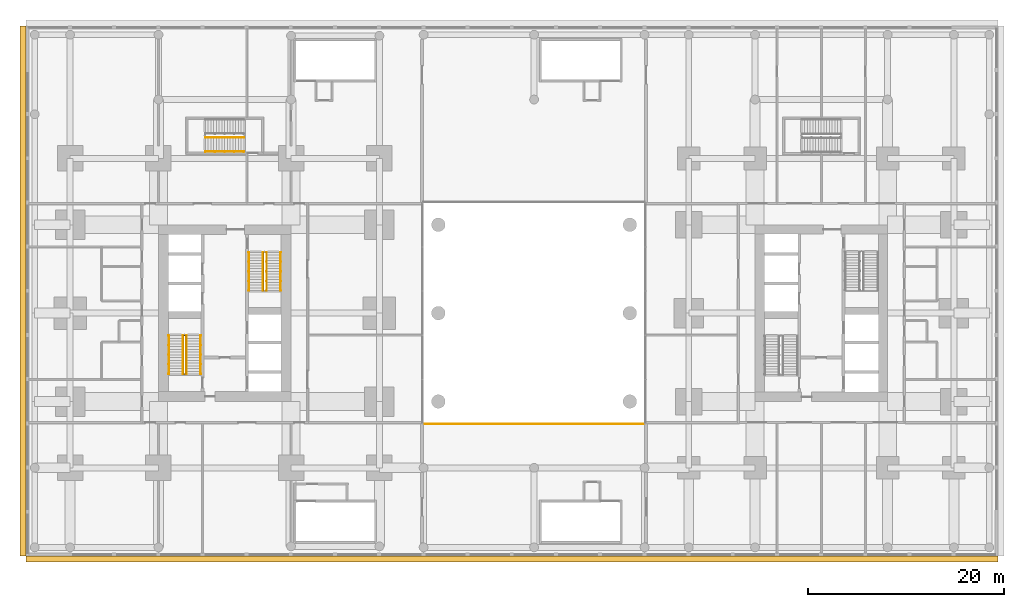
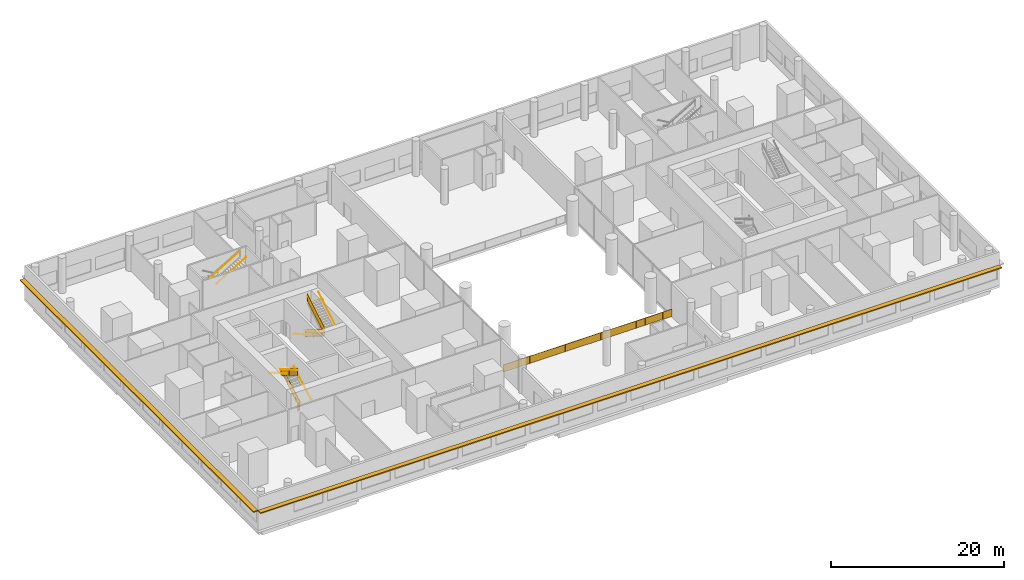
# One storey, part 18 of 20: 13 railings, 2 shading devices.
"""IFC4 building model written with IfcOpenShell, lengths in metres."""

from ifc_helpers import new_model, si_unit, direction, frame, origin, origin_2d, place, context, subcontext, project, spatial, polyline, rectangle, circle, outline, extrude, material, layer, layer_set, type_object, element, save


model = new_model("IFC4")

# Units and contexts
model_context = context("Model", 3, precision=1e-05, world=origin(), true_north=direction((0.0, 1.0)))
body_context = subcontext(model_context, "Body", "Model", "MODEL_VIEW")
ifc_project = project(units=[si_unit("LENGTHUNIT", "METRE"), si_unit("AREAUNIT", "SQUARE_METRE"), si_unit("VOLUMEUNIT", "CUBIC_METRE"), si_unit("PLANEANGLEUNIT", "RADIAN"), si_unit("MASSUNIT", "GRAM", prefix="KILO")], contexts=[model_context])

# Site, building, storey
site_placement = place(None, origin())
site = spatial("IfcSite", under=ifc_project, at=site_placement, CompositionType="ELEMENT")
building_placement = place(site_placement, origin())
building = spatial("IfcBuilding", under=site, at=building_placement, Name="Namib Vertical Campus", CompositionType="ELEMENT")
storey_placement = place(building_placement, frame((0.0, 0.0, 16.0)))
storey = spatial("IfcBuildingStorey", under=building, at=storey_placement, Name="L03", CompositionType="ELEMENT", Elevation=16.0)

# Railings
ifc_material_1 = material(Name="Toughened glass balustrade", Category="glass")
railing_type_1 = type_object("IfcRailingType", Name="Edge guard 1100", PredefinedType="GUARDRAIL", material=ifc_material_1)
railing_1_placement = place(storey_placement, frame((40.5, 8.949951171875, 0.0)))
element("IfcRailing", 1, at=railing_1_placement, inside=storey, type_object=railing_type_1, Name="Atrium edge guard GR2 L03 S", PredefinedType="GUARDRAIL", context=body_context, shape_type="SweptSolid", body=[
    extrude(circle(Radius=0.02392578125, at=origin_2d()), frame((0.0, 0.0, 1.076171875), z_axis=(1.0, 0.0, 0.0), x_axis=(0.0, 1.0, 0.0)), (0.0, 0.0, 1.0), 22.5),
    extrude(outline(polyline([(0.02099609375, 0.050048828125), (22.47900390625, 0.050048828125), (22.47900390625, 1.052001953125), (0.02099609375, 1.052001953125), (0.02099609375, 0.050048828125)])), frame((0.0, 0.0107421875, 0.0), z_axis=(0.0, -1.0, 0.0), x_axis=(1.0, 0.0, 0.0)), (0.0, 0.0, 1.0), 0.021484375),
    extrude(circle(Radius=0.02099609375, at=origin_2d()), origin(), (0.0, 0.0, 1.0), 1.052001953125),
    extrude(circle(Radius=0.02099609375, at=origin_2d()), frame((1.184326171875, 0.0, 0.0)), (0.0, 0.0, 1.0), 1.052001953125),
    extrude(circle(Radius=0.02099609375, at=origin_2d()), frame((2.368408203125, 0.0, 0.0)), (0.0, 0.0, 1.0), 1.052001953125),
    extrude(circle(Radius=0.02099609375, at=origin_2d()), frame((3.552734375, 0.0, 0.0)), (0.0, 0.0, 1.0), 1.052001953125),
    extrude(circle(Radius=0.02099609375, at=origin_2d()), frame((4.73681640625, 0.0, 0.0)), (0.0, 0.0, 1.0), 1.052001953125),
    extrude(circle(Radius=0.02099609375, at=origin_2d()), frame((5.921142578125, 0.0, 0.0)), (0.0, 0.0, 1.0), 1.052001953125),
    extrude(circle(Radius=0.02099609375, at=origin_2d()), frame((7.105224609375, 0.0, 0.0)), (0.0, 0.0, 1.0), 1.052001953125),
    extrude(circle(Radius=0.02099609375, at=origin_2d()), frame((8.28955078125, 0.0, 0.0)), (0.0, 0.0, 1.0), 1.052001953125),
    extrude(circle(Radius=0.02099609375, at=origin_2d()), frame((9.4736328125, 0.0, 0.0)), (0.0, 0.0, 1.0), 1.052001953125),
    extrude(circle(Radius=0.02099609375, at=origin_2d()), frame((10.657958984375, 0.0, 0.0)), (0.0, 0.0, 1.0), 1.052001953125),
    extrude(circle(Radius=0.02099609375, at=origin_2d()), frame((11.842041015625, 0.0, 0.0)), (0.0, 0.0, 1.0), 1.052001953125),
    extrude(circle(Radius=0.02099609375, at=origin_2d()), frame((13.0263671875, 0.0, 0.0)), (0.0, 0.0, 1.0), 1.052001953125),
    extrude(circle(Radius=0.02099609375, at=origin_2d()), frame((14.21044921875, 0.0, 0.0)), (0.0, 0.0, 1.0), 1.052001953125),
    extrude(circle(Radius=0.02099609375, at=origin_2d()), frame((15.394775390625, 0.0, 0.0)), (0.0, 0.0, 1.0), 1.052001953125),
    extrude(circle(Radius=0.02099609375, at=origin_2d()), frame((16.578857421875, 0.0, 0.0)), (0.0, 0.0, 1.0), 1.052001953125),
    extrude(circle(Radius=0.02099609375, at=origin_2d()), frame((17.76318359375, 0.0, 0.0)), (0.0, 0.0, 1.0), 1.052001953125),
    extrude(circle(Radius=0.02099609375, at=origin_2d()), frame((18.947265625, 0.0, 0.0)), (0.0, 0.0, 1.0), 1.052001953125),
    extrude(circle(Radius=0.02099609375, at=origin_2d()), frame((20.131591796875, 0.0, 0.0)), (0.0, 0.0, 1.0), 1.052001953125),
    extrude(circle(Radius=0.02099609375, at=origin_2d()), frame((21.315673828125, 0.0, 0.0)), (0.0, 0.0, 1.0), 1.052001953125),
    extrude(circle(Radius=0.02099609375, at=origin_2d()), frame((22.5, 0.0, 0.0)), (0.0, 0.0, 1.0), 1.052001953125),
])
ifc_material_2 = material(Name="Steel handrail", Category="steel")
railing_type_2 = type_object("IfcRailingType", Name="Handrail 900", PredefinedType="HANDRAIL", material=ifc_material_2)
railing_2_placement = place(storey_placement, frame((17.800048828125, 14.050048828125, 0.166748046875)))
element("IfcRailing", 2, at=railing_2_placement, inside=storey, type_object=railing_type_2, Name="Handrail HR1 A-S1 L03 1", PredefinedType="HANDRAIL", context=body_context, shape_type="SweptSolid", body=[
    extrude(circle(Radius=0.02392578125, at=origin_2d()), frame((0.0, 0.0, 0.8759765625), z_axis=(0.0, 0.859296244711, 0.511478214419), x_axis=(-1.0, 0.0, 0.0)), (0.0, 0.0, 1.0), 4.561767578125),
    extrude(circle(Radius=0.008056640625, at=origin_2d()), frame((0.0, 0.0, 0.8759765625), z_axis=(1.0, 0.0, 0.0), x_axis=(0.0, 0.0, 1.0)), (0.0, 0.0, 1.0), 0.050048828125),
    extrude(circle(Radius=0.008056640625, at=origin_2d()), frame((0.0, 0.97998046875, 1.459228515625), z_axis=(1.0, 0.0, 0.0), x_axis=(0.0, 0.0, 1.0)), (0.0, 0.0, 1.0), 0.050048828125),
    extrude(circle(Radius=0.008056640625, at=origin_2d()), frame((0.0, 1.9599609375, 2.04248046875), z_axis=(1.0, 0.0, 0.0), x_axis=(0.0, 0.0, 1.0)), (0.0, 0.0, 1.0), 0.050048828125),
    extrude(circle(Radius=0.008056640625, at=origin_2d()), frame((0.0, 2.93994140625, 2.625732421875), z_axis=(1.0, 0.0, 0.0), x_axis=(0.0, 0.0, 1.0)), (0.0, 0.0, 1.0), 0.050048828125),
    extrude(circle(Radius=0.008056640625, at=origin_2d()), frame((0.0, 3.919921875, 3.208984375), z_axis=(1.0, 0.0, 0.0), x_axis=(0.0, 0.0, 1.0)), (0.0, 0.0, 1.0), 0.050048828125),
])
railing_3_placement = place(storey_placement, frame((14.550048828125, 17.969970703125, 2.666748046875)))
element("IfcRailing", 3, at=railing_3_placement, inside=storey, type_object=railing_type_2, Name="Handrail HR1 A-S1 L03 2", PredefinedType="HANDRAIL", context=body_context, shape_type="SweptSolid", body=[
    extrude(circle(Radius=0.02392578125, at=origin_2d()), frame((0.0, 0.0, 0.8759765625), z_axis=(0.0, -0.859296244711, 0.511478214419), x_axis=(1.0, 0.0, 0.0)), (0.0, 0.0, 1.0), 4.561767578125),
    extrude(circle(Radius=0.008056640625, at=origin_2d()), frame((0.0, 0.0, 0.8759765625), z_axis=(-1.0, 0.0, 0.0), x_axis=(0.0, 0.0, 1.0)), (0.0, 0.0, 1.0), 0.050048828125),
    extrude(circle(Radius=0.008056640625, at=origin_2d()), frame((0.0, -0.97998046875, 1.459228515625), z_axis=(-1.0, 0.0, 0.0), x_axis=(0.0, 0.0, 1.0)), (0.0, 0.0, 1.0), 0.050048828125),
    extrude(circle(Radius=0.008056640625, at=origin_2d()), frame((0.0, -1.9599609375, 2.04248046875), z_axis=(-1.0, 0.0, 0.0), x_axis=(0.0, 0.0, 1.0)), (0.0, 0.0, 1.0), 0.050048828125),
    extrude(circle(Radius=0.008056640625, at=origin_2d()), frame((0.0, -2.93994140625, 2.625732421875), z_axis=(-1.0, 0.0, 0.0), x_axis=(0.0, 0.0, 1.0)), (0.0, 0.0, 1.0), 0.050048828125),
    extrude(circle(Radius=0.008056640625, at=origin_2d()), frame((0.0, -3.919921875, 3.208984375), z_axis=(-1.0, 0.0, 0.0), x_axis=(0.0, 0.0, 1.0)), (0.0, 0.0, 1.0), 0.050048828125),
])
railing_4_placement = place(storey_placement, frame((16.375, 14.050048828125, 0.166748046875)))
element("IfcRailing", 4, at=railing_4_placement, inside=storey, type_object=railing_type_2, Name="Handrail HR1 A-S1 L03 1 at the well", PredefinedType="HANDRAIL", context=body_context, shape_type="SweptSolid", body=[
    extrude(circle(Radius=0.02392578125, at=origin_2d()), frame((0.0, 0.0, 0.8759765625), z_axis=(0.0, 0.859296244711, 0.511478214419), x_axis=(-1.0, 0.0, 0.0)), (0.0, 0.0, 1.0), 4.561767578125),
    extrude(circle(Radius=0.008056640625, at=origin_2d()), frame((0.0, 0.0, 0.8759765625), z_axis=(-1.0, 0.0, 0.0), x_axis=(0.0, 0.0, 1.0)), (0.0, 0.0, 1.0), 0.0400390625),
    extrude(circle(Radius=0.008056640625, at=origin_2d()), frame((0.0, 0.97998046875, 1.459228515625), z_axis=(-1.0, 0.0, 0.0), x_axis=(0.0, 0.0, 1.0)), (0.0, 0.0, 1.0), 0.0400390625),
    extrude(circle(Radius=0.008056640625, at=origin_2d()), frame((0.0, 1.9599609375, 2.04248046875), z_axis=(-1.0, 0.0, 0.0), x_axis=(0.0, 0.0, 1.0)), (0.0, 0.0, 1.0), 0.0400390625),
    extrude(circle(Radius=0.008056640625, at=origin_2d()), frame((0.0, 2.93994140625, 2.625732421875), z_axis=(-1.0, 0.0, 0.0), x_axis=(0.0, 0.0, 1.0)), (0.0, 0.0, 1.0), 0.0400390625),
    extrude(circle(Radius=0.008056640625, at=origin_2d()), frame((0.0, 3.919921875, 3.208984375), z_axis=(-1.0, 0.0, 0.0), x_axis=(0.0, 0.0, 1.0)), (0.0, 0.0, 1.0), 0.0400390625),
])
railing_5_placement = place(storey_placement, frame((15.97509765625, 17.969970703125, 2.666748046875)))
element("IfcRailing", 5, at=railing_5_placement, inside=storey, type_object=railing_type_2, Name="Handrail HR1 A-S1 L03 2 at the well", PredefinedType="HANDRAIL", context=body_context, shape_type="SweptSolid", body=[
    extrude(circle(Radius=0.02392578125, at=origin_2d()), frame((0.0, 0.0, 0.8759765625), z_axis=(0.0, -0.859296244711, 0.511478214419), x_axis=(1.0, 0.0, 0.0)), (0.0, 0.0, 1.0), 4.561767578125),
    extrude(circle(Radius=0.008056640625, at=origin_2d()), frame((0.0, 0.0, 0.8759765625), z_axis=(1.0, 0.0, 0.0), x_axis=(0.0, 0.0, 1.0)), (0.0, 0.0, 1.0), 0.0400390625),
    extrude(circle(Radius=0.008056640625, at=origin_2d()), frame((0.0, -0.97998046875, 1.459228515625), z_axis=(1.0, 0.0, 0.0), x_axis=(0.0, 0.0, 1.0)), (0.0, 0.0, 1.0), 0.0400390625),
    extrude(circle(Radius=0.008056640625, at=origin_2d()), frame((0.0, -1.9599609375, 2.04248046875), z_axis=(1.0, 0.0, 0.0), x_axis=(0.0, 0.0, 1.0)), (0.0, 0.0, 1.0), 0.0400390625),
    extrude(circle(Radius=0.008056640625, at=origin_2d()), frame((0.0, -2.93994140625, 2.625732421875), z_axis=(1.0, 0.0, 0.0), x_axis=(0.0, 0.0, 1.0)), (0.0, 0.0, 1.0), 0.0400390625),
    extrude(circle(Radius=0.008056640625, at=origin_2d()), frame((0.0, -3.919921875, 3.208984375), z_axis=(1.0, 0.0, 0.0), x_axis=(0.0, 0.0, 1.0)), (0.0, 0.0, 1.0), 0.0400390625),
])
railing_6_placement = place(storey_placement, frame((22.699951171875, 26.449951171875, 0.166748046875)))
element("IfcRailing", 6, at=railing_6_placement, inside=storey, type_object=railing_type_2, Name="Handrail HR1 A-S2 L03 1", PredefinedType="HANDRAIL", context=body_context, shape_type="SweptSolid", body=[
    extrude(circle(Radius=0.02392578125, at=origin_2d()), frame((0.0, 0.0, 0.8759765625), z_axis=(0.0, -0.859296244711, 0.511478214419), x_axis=(1.0, 0.0, 0.0)), (0.0, 0.0, 1.0), 4.561767578125),
    extrude(circle(Radius=0.008056640625, at=origin_2d()), frame((0.0, 0.0, 0.8759765625), z_axis=(-1.0, 0.0, 0.0), x_axis=(0.0, 0.0, 1.0)), (0.0, 0.0, 1.0), 0.050048828125),
    extrude(circle(Radius=0.008056640625, at=origin_2d()), frame((0.0, -0.97998046875, 1.459228515625), z_axis=(-1.0, 0.0, 0.0), x_axis=(0.0, 0.0, 1.0)), (0.0, 0.0, 1.0), 0.050048828125),
    extrude(circle(Radius=0.008056640625, at=origin_2d()), frame((0.0, -1.9599609375, 2.04248046875), z_axis=(-1.0, 0.0, 0.0), x_axis=(0.0, 0.0, 1.0)), (0.0, 0.0, 1.0), 0.050048828125),
    extrude(circle(Radius=0.008056640625, at=origin_2d()), frame((0.0, -2.93994140625, 2.625732421875), z_axis=(-1.0, 0.0, 0.0), x_axis=(0.0, 0.0, 1.0)), (0.0, 0.0, 1.0), 0.050048828125),
    extrude(circle(Radius=0.008056640625, at=origin_2d()), frame((0.0, -3.919921875, 3.208984375), z_axis=(-1.0, 0.0, 0.0), x_axis=(0.0, 0.0, 1.0)), (0.0, 0.0, 1.0), 0.050048828125),
])
railing_7_placement = place(storey_placement, frame((25.949951171875, 22.530029296875, 2.666748046875)))
element("IfcRailing", 7, at=railing_7_placement, inside=storey, type_object=railing_type_2, Name="Handrail HR1 A-S2 L03 2", PredefinedType="HANDRAIL", context=body_context, shape_type="SweptSolid", body=[
    extrude(circle(Radius=0.02392578125, at=origin_2d()), frame((0.0, 0.0, 0.8759765625), z_axis=(0.0, 0.859296244711, 0.511478214419), x_axis=(-1.0, 0.0, 0.0)), (0.0, 0.0, 1.0), 4.561767578125),
    extrude(circle(Radius=0.008056640625, at=origin_2d()), frame((0.0, 0.0, 0.8759765625), z_axis=(1.0, 0.0, 0.0), x_axis=(0.0, 0.0, 1.0)), (0.0, 0.0, 1.0), 0.050048828125),
    extrude(circle(Radius=0.008056640625, at=origin_2d()), frame((0.0, 0.97998046875, 1.459228515625), z_axis=(1.0, 0.0, 0.0), x_axis=(0.0, 0.0, 1.0)), (0.0, 0.0, 1.0), 0.050048828125),
    extrude(circle(Radius=0.008056640625, at=origin_2d()), frame((0.0, 1.9599609375, 2.04248046875), z_axis=(1.0, 0.0, 0.0), x_axis=(0.0, 0.0, 1.0)), (0.0, 0.0, 1.0), 0.050048828125),
    extrude(circle(Radius=0.008056640625, at=origin_2d()), frame((0.0, 2.93994140625, 2.625732421875), z_axis=(1.0, 0.0, 0.0), x_axis=(0.0, 0.0, 1.0)), (0.0, 0.0, 1.0), 0.050048828125),
    extrude(circle(Radius=0.008056640625, at=origin_2d()), frame((0.0, 3.919921875, 3.208984375), z_axis=(1.0, 0.0, 0.0), x_axis=(0.0, 0.0, 1.0)), (0.0, 0.0, 1.0), 0.050048828125),
])
railing_8_placement = place(storey_placement, frame((24.125, 26.449951171875, 0.166748046875)))
element("IfcRailing", 8, at=railing_8_placement, inside=storey, type_object=railing_type_2, Name="Handrail HR1 A-S2 L03 1 at the well", PredefinedType="HANDRAIL", context=body_context, shape_type="SweptSolid", body=[
    extrude(circle(Radius=0.02392578125, at=origin_2d()), frame((0.0, 0.0, 0.8759765625), z_axis=(0.0, -0.859296244711, 0.511478214419), x_axis=(1.0, 0.0, 0.0)), (0.0, 0.0, 1.0), 4.561767578125),
    extrude(circle(Radius=0.008056640625, at=origin_2d()), frame((0.0, 0.0, 0.8759765625), z_axis=(1.0, 0.0, 0.0), x_axis=(0.0, 0.0, 1.0)), (0.0, 0.0, 1.0), 0.0400390625),
    extrude(circle(Radius=0.008056640625, at=origin_2d()), frame((0.0, -0.97998046875, 1.459228515625), z_axis=(1.0, 0.0, 0.0), x_axis=(0.0, 0.0, 1.0)), (0.0, 0.0, 1.0), 0.0400390625),
    extrude(circle(Radius=0.008056640625, at=origin_2d()), frame((0.0, -1.9599609375, 2.04248046875), z_axis=(1.0, 0.0, 0.0), x_axis=(0.0, 0.0, 1.0)), (0.0, 0.0, 1.0), 0.0400390625),
    extrude(circle(Radius=0.008056640625, at=origin_2d()), frame((0.0, -2.93994140625, 2.625732421875), z_axis=(1.0, 0.0, 0.0), x_axis=(0.0, 0.0, 1.0)), (0.0, 0.0, 1.0), 0.0400390625),
    extrude(circle(Radius=0.008056640625, at=origin_2d()), frame((0.0, -3.919921875, 3.208984375), z_axis=(1.0, 0.0, 0.0), x_axis=(0.0, 0.0, 1.0)), (0.0, 0.0, 1.0), 0.0400390625),
])
railing_9_placement = place(storey_placement, frame((24.52490234375, 22.530029296875, 2.666748046875)))
element("IfcRailing", 9, at=railing_9_placement, inside=storey, type_object=railing_type_2, Name="Handrail HR1 A-S2 L03 2 at the well", PredefinedType="HANDRAIL", context=body_context, shape_type="SweptSolid", body=[
    extrude(circle(Radius=0.02392578125, at=origin_2d()), frame((0.0, 0.0, 0.8759765625), z_axis=(0.0, 0.859296244711, 0.511478214419), x_axis=(-1.0, 0.0, 0.0)), (0.0, 0.0, 1.0), 4.561767578125),
    extrude(circle(Radius=0.008056640625, at=origin_2d()), frame((0.0, 0.0, 0.8759765625), z_axis=(-1.0, 0.0, 0.0), x_axis=(0.0, 0.0, 1.0)), (0.0, 0.0, 1.0), 0.0400390625),
    extrude(circle(Radius=0.008056640625, at=origin_2d()), frame((0.0, 0.97998046875, 1.459228515625), z_axis=(-1.0, 0.0, 0.0), x_axis=(0.0, 0.0, 1.0)), (0.0, 0.0, 1.0), 0.0400390625),
    extrude(circle(Radius=0.008056640625, at=origin_2d()), frame((0.0, 1.9599609375, 2.04248046875), z_axis=(-1.0, 0.0, 0.0), x_axis=(0.0, 0.0, 1.0)), (0.0, 0.0, 1.0), 0.0400390625),
    extrude(circle(Radius=0.008056640625, at=origin_2d()), frame((0.0, 2.93994140625, 2.625732421875), z_axis=(-1.0, 0.0, 0.0), x_axis=(0.0, 0.0, 1.0)), (0.0, 0.0, 1.0), 0.0400390625),
    extrude(circle(Radius=0.008056640625, at=origin_2d()), frame((0.0, 3.919921875, 3.208984375), z_axis=(-1.0, 0.0, 0.0), x_axis=(0.0, 0.0, 1.0)), (0.0, 0.0, 1.0), 0.0400390625),
])
railing_10_placement = place(storey_placement, frame((18.280029296875, 36.699951171875, 2.666748046875)))
element("IfcRailing", 10, at=railing_10_placement, inside=storey, type_object=railing_type_2, Name="Handrail HR1 A-S3 L03 2", PredefinedType="HANDRAIL", context=body_context, shape_type="SweptSolid", body=[
    extrude(circle(Radius=0.02392578125, at=origin_2d()), frame((0.0, 0.0, 0.8759765625), z_axis=(0.859296244711, 0.0, 0.511478214419), x_axis=(0.0, 1.0, 0.0)), (0.0, 0.0, 1.0), 4.561767578125),
    extrude(circle(Radius=0.008056640625, at=origin_2d()), frame((0.0, 0.0, 0.8759765625), z_axis=(0.0, -1.0, 0.0), x_axis=(0.0, 0.0, 1.0)), (0.0, 0.0, 1.0), 0.050048828125),
    extrude(circle(Radius=0.008056640625, at=origin_2d()), frame((0.97998046875, 0.0, 1.459228515625), z_axis=(0.0, -1.0, 0.0), x_axis=(0.0, 0.0, 1.0)), (0.0, 0.0, 1.0), 0.050048828125),
    extrude(circle(Radius=0.008056640625, at=origin_2d()), frame((1.9599609375, 0.0, 2.04248046875), z_axis=(0.0, -1.0, 0.0), x_axis=(0.0, 0.0, 1.0)), (0.0, 0.0, 1.0), 0.050048828125),
    extrude(circle(Radius=0.008056640625, at=origin_2d()), frame((2.93994140625, 0.0, 2.625732421875), z_axis=(0.0, -1.0, 0.0), x_axis=(0.0, 0.0, 1.0)), (0.0, 0.0, 1.0), 0.050048828125),
    extrude(circle(Radius=0.008056640625, at=origin_2d()), frame((3.919921875, 0.0, 3.208984375), z_axis=(0.0, -1.0, 0.0), x_axis=(0.0, 0.0, 1.0)), (0.0, 0.0, 1.0), 0.050048828125),
])
railing_11_placement = place(storey_placement, frame((18.280029296875, 38.125, 2.666748046875)))
element("IfcRailing", 11, at=railing_11_placement, inside=storey, type_object=railing_type_2, Name="Handrail HR1 A-S3 L03 2 at the well", PredefinedType="HANDRAIL", context=body_context, shape_type="SweptSolid", body=[
    extrude(circle(Radius=0.02392578125, at=origin_2d()), frame((0.0, 0.0, 0.8759765625), z_axis=(0.859296244711, 0.0, 0.511478214419), x_axis=(0.0, 1.0, 0.0)), (0.0, 0.0, 1.0), 4.561767578125),
    extrude(circle(Radius=0.008056640625, at=origin_2d()), frame((0.0, 0.0, 0.8759765625), z_axis=(0.0, 1.0, 0.0), x_axis=(0.0, 0.0, 1.0)), (0.0, 0.0, 1.0), 0.0400390625),
    extrude(circle(Radius=0.008056640625, at=origin_2d()), frame((0.97998046875, 0.0, 1.459228515625), z_axis=(0.0, 1.0, 0.0), x_axis=(0.0, 0.0, 1.0)), (0.0, 0.0, 1.0), 0.0400390625),
    extrude(circle(Radius=0.008056640625, at=origin_2d()), frame((1.9599609375, 0.0, 2.04248046875), z_axis=(0.0, 1.0, 0.0), x_axis=(0.0, 0.0, 1.0)), (0.0, 0.0, 1.0), 0.0400390625),
    extrude(circle(Radius=0.008056640625, at=origin_2d()), frame((2.93994140625, 0.0, 2.625732421875), z_axis=(0.0, 1.0, 0.0), x_axis=(0.0, 0.0, 1.0)), (0.0, 0.0, 1.0), 0.0400390625),
    extrude(circle(Radius=0.008056640625, at=origin_2d()), frame((3.919921875, 0.0, 3.208984375), z_axis=(0.0, 1.0, 0.0), x_axis=(0.0, 0.0, 1.0)), (0.0, 0.0, 1.0), 0.0400390625),
])
ifc_material_3 = material(Name="Steel balustrade", Category="steel")
railing_type_3 = type_object("IfcRailingType", Name="Stair guard 1100", PredefinedType="GUARDRAIL", material=ifc_material_3)
railing_12_placement = place(storey_placement, frame((16.02490234375, 14.050048828125, 0.0)))
element("IfcRailing", 12, at=railing_12_placement, inside=storey, type_object=railing_type_3, Name="Stair guard GR1 A-S1 L03", PredefinedType="GUARDRAIL", context=body_context, shape_type="SweptSolid", body=[
    extrude(circle(Radius=0.02392578125, at=origin_2d()), frame((0.0, 0.0, 1.076171875), z_axis=(1.0, 0.0, 0.0), x_axis=(0.0, 1.0, 0.0)), (0.0, 0.0, 1.0), 0.300048828125),
    extrude(outline(polyline([(0.02099609375, 0.050048828125), (0.279052734375, 0.050048828125), (0.279052734375, 1.052001953125), (0.02099609375, 1.052001953125), (0.02099609375, 0.050048828125)])), frame((0.0, 0.010009765625, 0.0), z_axis=(0.0, -1.0, 0.0), x_axis=(1.0, 0.0, 0.0)), (0.0, 0.0, 1.0), 0.02001953125),
    extrude(circle(Radius=0.02392578125, at=origin_2d()), frame((0.300048828125, 0.0, 1.076171875), z_axis=(0.0, 0.0, 1.0), x_axis=(1.0, 0.0, 0.0)), (0.0, 0.0, 1.0), 0.166748046875),
    extrude(circle(Radius=0.02392578125, at=origin_2d()), frame((0.300048828125, 0.0, 1.24267578125), z_axis=(0.0, 0.859296244711, 0.511478214419), x_axis=(-1.0, 0.0, 0.0)), (0.0, 0.0, 1.0), 4.561767578125),
    extrude(outline(polyline([(0.02099609375, 0.0625), (3.89892578125, 2.370849609375), (3.89892578125, 3.372802734375), (0.02099609375, 1.064453125), (0.02099609375, 0.0625)])), frame((0.2900390625, 0.0, 0.166748046875), z_axis=(1.0, 0.0, 0.0), x_axis=(0.0, 1.0, 0.0)), (0.0, 0.0, 1.0), 0.02001953125),
    extrude(circle(Radius=0.02392578125, at=origin_2d()), frame((0.300048828125, 3.919921875, 3.576171875), z_axis=(-1.0, 0.0, 0.0), x_axis=(0.0, -1.0, 0.0)), (0.0, 0.0, 1.0), 0.300048828125),
    extrude(outline(polyline([(0.02099609375, 0.050048828125), (0.279052734375, 0.050048828125), (0.279052734375, 1.052001953125), (0.02099609375, 1.052001953125), (0.02099609375, 0.050048828125)])), frame((0.300048828125, 3.909912109375, 2.5), z_axis=(0.0, 1.0, 0.0), x_axis=(-1.0, 0.0, 0.0)), (0.0, 0.0, 1.0), 0.02001953125),
    extrude(circle(Radius=0.02392578125, at=origin_2d()), frame((0.0, 3.919921875, 3.576171875), z_axis=(0.0, 0.0, 1.0), x_axis=(1.0, 0.0, 0.0)), (0.0, 0.0, 1.0), 0.166748046875),
    extrude(circle(Radius=0.02392578125, at=origin_2d()), frame((0.0, 3.919921875, 3.74267578125), z_axis=(0.0, -0.859296244711, 0.511478214419), x_axis=(1.0, 0.0, 0.0)), (0.0, 0.0, 1.0), 4.561767578125),
    extrude(outline(polyline([(0.02099609375, 0.0625), (3.89892578125, 2.370849609375), (3.89892578125, 3.372802734375), (0.02099609375, 1.064453125), (0.02099609375, 0.0625)])), frame((0.010009765625, 3.919921875, 2.666748046875), z_axis=(-1.0, 0.0, 0.0), x_axis=(0.0, -1.0, 0.0)), (0.0, 0.0, 1.0), 0.02001953125),
    extrude(circle(Radius=0.02392578125, at=origin_2d()), frame((0.0, 0.0, 6.076171875), z_axis=(0.0, -1.0, 0.0), x_axis=(1.0, 0.0, 0.0)), (0.0, 0.0, 1.0), 0.050048828125),
    extrude(outline(polyline([(0.02099609375, 0.050048828125), (0.029052734375, 0.050048828125), (0.029052734375, 1.052001953125), (0.02099609375, 1.052001953125), (0.02099609375, 0.050048828125)])), frame((0.010009765625, 0.0, 5.0), z_axis=(-1.0, 0.0, 0.0), x_axis=(0.0, -1.0, 0.0)), (0.0, 0.0, 1.0), 0.02001953125),
    extrude(circle(Radius=0.02099609375, at=origin_2d()), origin(), (0.0, 0.0, 1.0), 1.052001953125),
    extrude(circle(Radius=0.02099609375, at=origin_2d()), frame((0.300048828125, 0.0, 0.166748046875)), (0.0, 0.0, 1.0), 1.052001953125),
    extrude(circle(Radius=0.02099609375, at=origin_2d()), frame((0.300048828125, 0.97998046875, 0.666748046875)), (0.0, 0.0, 1.0), 1.13525390625),
    extrude(circle(Radius=0.02099609375, at=origin_2d()), frame((0.300048828125, 1.9599609375, 1.166748046875)), (0.0, 0.0, 1.0), 1.218505859375),
    extrude(circle(Radius=0.02099609375, at=origin_2d()), frame((0.300048828125, 2.93994140625, 1.83349609375)), (0.0, 0.0, 1.0), 1.13525390625),
    extrude(circle(Radius=0.02099609375, at=origin_2d()), frame((0.300048828125, 3.919921875, 2.5)), (0.0, 0.0, 1.0), 1.052001953125),
    extrude(circle(Radius=0.02099609375, at=origin_2d()), frame((0.0, 3.919921875, 2.666748046875)), (0.0, 0.0, 1.0), 1.052001953125),
    extrude(circle(Radius=0.02099609375, at=origin_2d()), frame((0.0, 2.93994140625, 3.166748046875)), (0.0, 0.0, 1.0), 1.13525390625),
    extrude(circle(Radius=0.02099609375, at=origin_2d()), frame((0.0, 1.9599609375, 3.666748046875)), (0.0, 0.0, 1.0), 1.218505859375),
    extrude(circle(Radius=0.02099609375, at=origin_2d()), frame((0.0, 0.97998046875, 4.33349609375)), (0.0, 0.0, 1.0), 1.13525390625),
    extrude(circle(Radius=0.02099609375, at=origin_2d()), frame((0.0, 0.0, 5.0)), (0.0, 0.0, 1.0), 1.052001953125),
    extrude(circle(Radius=0.02099609375, at=origin_2d()), frame((0.0, -0.050048828125, 5.0)), (0.0, 0.0, 1.0), 1.052001953125),
])
railing_13_placement = place(storey_placement, frame((24.47509765625, 26.449951171875, 0.0)))
element("IfcRailing", 13, at=railing_13_placement, inside=storey, type_object=railing_type_3, Name="Stair guard GR1 A-S2 L03", PredefinedType="GUARDRAIL", context=body_context, shape_type="SweptSolid", body=[
    extrude(circle(Radius=0.02392578125, at=origin_2d()), frame((0.0, 0.0, 1.076171875), z_axis=(-1.0, 0.0, 0.0), x_axis=(0.0, -1.0, 0.0)), (0.0, 0.0, 1.0), 0.300048828125),
    extrude(outline(polyline([(0.02099609375, 0.050048828125), (0.279052734375, 0.050048828125), (0.279052734375, 1.052001953125), (0.02099609375, 1.052001953125), (0.02099609375, 0.050048828125)])), frame((0.0, -0.010009765625, 0.0), z_axis=(0.0, 1.0, 0.0), x_axis=(-1.0, 0.0, 0.0)), (0.0, 0.0, 1.0), 0.02001953125),
    extrude(circle(Radius=0.02392578125, at=origin_2d()), frame((-0.300048828125, 0.0, 1.076171875), z_axis=(0.0, 0.0, 1.0), x_axis=(1.0, 0.0, 0.0)), (0.0, 0.0, 1.0), 0.166748046875),
    extrude(circle(Radius=0.02392578125, at=origin_2d()), frame((-0.300048828125, 0.0, 1.24267578125), z_axis=(0.0, -0.859296244711, 0.511478214419), x_axis=(1.0, 0.0, 0.0)), (0.0, 0.0, 1.0), 4.561767578125),
    extrude(outline(polyline([(0.02099609375, 0.0625), (3.89892578125, 2.370849609375), (3.89892578125, 3.372802734375), (0.02099609375, 1.064453125), (0.02099609375, 0.0625)])), frame((-0.2900390625, 0.0, 0.166748046875), z_axis=(-1.0, 0.0, 0.0), x_axis=(0.0, -1.0, 0.0)), (0.0, 0.0, 1.0), 0.02001953125),
    extrude(circle(Radius=0.02392578125, at=origin_2d()), frame((-0.300048828125, -3.919921875, 3.576171875), z_axis=(1.0, 0.0, 0.0), x_axis=(0.0, 1.0, 0.0)), (0.0, 0.0, 1.0), 0.300048828125),
    extrude(outline(polyline([(0.02099609375, 0.050048828125), (0.279052734375, 0.050048828125), (0.279052734375, 1.052001953125), (0.02099609375, 1.052001953125), (0.02099609375, 0.050048828125)])), frame((-0.300048828125, -3.909912109375, 2.5), z_axis=(0.0, -1.0, 0.0), x_axis=(1.0, 0.0, 0.0)), (0.0, 0.0, 1.0), 0.02001953125),
    extrude(circle(Radius=0.02392578125, at=origin_2d()), frame((0.0, -3.919921875, 3.576171875), z_axis=(0.0, 0.0, 1.0), x_axis=(1.0, 0.0, 0.0)), (0.0, 0.0, 1.0), 0.166748046875),
    extrude(circle(Radius=0.02392578125, at=origin_2d()), frame((0.0, -3.919921875, 3.74267578125), z_axis=(0.0, 0.859296244711, 0.511478214419), x_axis=(-1.0, 0.0, 0.0)), (0.0, 0.0, 1.0), 4.561767578125),
    extrude(outline(polyline([(0.02099609375, 0.0625), (3.89892578125, 2.370849609375), (3.89892578125, 3.372802734375), (0.02099609375, 1.064453125), (0.02099609375, 0.0625)])), frame((-0.010009765625, -3.919921875, 2.666748046875), z_axis=(1.0, 0.0, 0.0), x_axis=(0.0, 1.0, 0.0)), (0.0, 0.0, 1.0), 0.02001953125),
    extrude(circle(Radius=0.02392578125, at=origin_2d()), frame((0.0, 0.0, 6.076171875), z_axis=(0.0, 1.0, 0.0), x_axis=(-1.0, 0.0, 0.0)), (0.0, 0.0, 1.0), 0.050048828125),
    extrude(outline(polyline([(0.02099609375, 0.050048828125), (0.029052734375, 0.050048828125), (0.029052734375, 1.052001953125), (0.02099609375, 1.052001953125), (0.02099609375, 0.050048828125)])), frame((-0.010009765625, 0.0, 5.0), z_axis=(1.0, 0.0, 0.0), x_axis=(0.0, 1.0, 0.0)), (0.0, 0.0, 1.0), 0.02001953125),
    extrude(circle(Radius=0.02099609375, at=origin_2d()), origin(), (0.0, 0.0, 1.0), 1.052001953125),
    extrude(circle(Radius=0.02099609375, at=origin_2d()), frame((-0.300048828125, 0.0, 0.166748046875)), (0.0, 0.0, 1.0), 1.052001953125),
    extrude(circle(Radius=0.02099609375, at=origin_2d()), frame((-0.300048828125, -0.97998046875, 0.666748046875)), (0.0, 0.0, 1.0), 1.13525390625),
    extrude(circle(Radius=0.02099609375, at=origin_2d()), frame((-0.300048828125, -1.9599609375, 1.166748046875)), (0.0, 0.0, 1.0), 1.218505859375),
    extrude(circle(Radius=0.02099609375, at=origin_2d()), frame((-0.300048828125, -2.93994140625, 1.83349609375)), (0.0, 0.0, 1.0), 1.13525390625),
    extrude(circle(Radius=0.02099609375, at=origin_2d()), frame((-0.300048828125, -3.919921875, 2.5)), (0.0, 0.0, 1.0), 1.052001953125),
    extrude(circle(Radius=0.02099609375, at=origin_2d()), frame((0.0, -3.919921875, 2.666748046875)), (0.0, 0.0, 1.0), 1.052001953125),
    extrude(circle(Radius=0.02099609375, at=origin_2d()), frame((0.0, -2.93994140625, 3.166748046875)), (0.0, 0.0, 1.0), 1.13525390625),
    extrude(circle(Radius=0.02099609375, at=origin_2d()), frame((0.0, -1.9599609375, 3.666748046875)), (0.0, 0.0, 1.0), 1.218505859375),
    extrude(circle(Radius=0.02099609375, at=origin_2d()), frame((0.0, -0.97998046875, 4.33349609375)), (0.0, 0.0, 1.0), 1.13525390625),
    extrude(circle(Radius=0.02099609375, at=origin_2d()), frame((0.0, 0.0, 5.0)), (0.0, 0.0, 1.0), 1.052001953125),
    extrude(circle(Radius=0.02099609375, at=origin_2d()), frame((0.0, 0.050048828125, 5.0)), (0.0, 0.0, 1.0), 1.052001953125),
])

# Shading devices
ifc_material_4 = material(Name="Concrete C40/50 precast", Category="concrete")
ifc_layer = layer(ifc_material_4, 0.14990234375)
ifc_layer_set = layer_set([ifc_layer], Name="Concrete C40/50 precast")
shading_device_type = type_object("IfcShadingDeviceType", Name="Sunshade hood 600", PredefinedType="SHUTTER", material=ifc_layer_set)
shading_device_1_placement = place(storey_placement, frame((49.5, -4.800048828125, 2.75), z_axis=(0.0, 0.0, 1.0), x_axis=(1.0, 0.0, 0.0)))
element("IfcShadingDevice", 14, at=shading_device_1_placement, inside=storey, type_object=shading_device_type, Name="Sunshade SH3 L03 1", PredefinedType="SHUTTER", context=body_context, shape_type="SweptSolid", body=[
    extrude(rectangle(XDim=99.0, YDim=0.60009765625, at=origin_2d()), origin(), (0.0, 0.0, 1.0), 0.14990234375),
])
shading_device_2_placement = place(storey_placement, frame((-0.300048828125, 22.5, 2.75), z_axis=(0.0, 0.0, 1.0), x_axis=(0.0, -1.0, 0.0)))
element("IfcShadingDevice", 15, at=shading_device_2_placement, inside=storey, type_object=shading_device_type, Name="Sunshade SH3 L03 4", PredefinedType="SHUTTER", context=body_context, shape_type="SweptSolid", body=[
    extrude(rectangle(XDim=54.0, YDim=0.60009765625, at=origin_2d()), origin(), (0.0, 0.0, 1.0), 0.14990234375),
])

save(model, "model.ifc")
